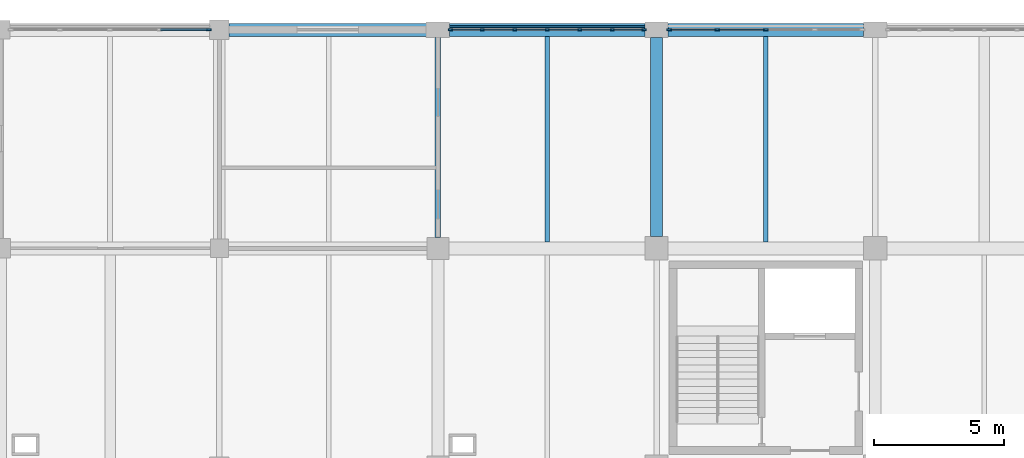
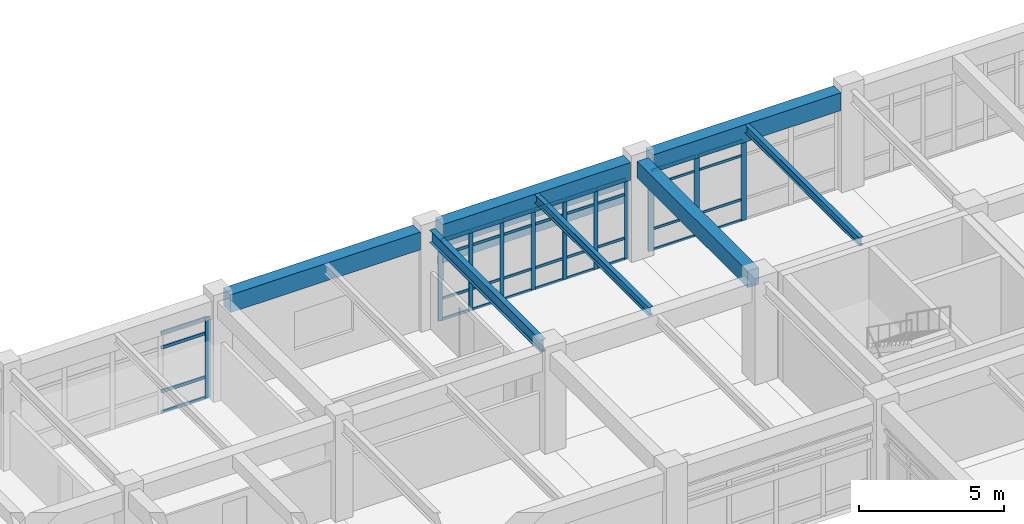
# One storey, part 31 of 99: 49 members, 7 beams, 3 elements without a shape of their own.
"""IFC4 building model written with IfcOpenShell, lengths in metres."""

from ifc_helpers import new_model, si_unit, direction, frame, origin, origin_2d, place, context, subcontext, project, spatial, rectangle, i_section, extrude, material, layer, layer_set, material_profile, profile_set, type_object, element, aggregate, save


model = new_model("IFC4")

# Units and contexts
model_context = context("Model", 3, precision=1e-05, world=origin(), true_north=direction((0.0, 1.0)))
body_context = subcontext(model_context, "Body", "Model", "MODEL_VIEW")
ifc_project = project(units=[si_unit("LENGTHUNIT", "METRE"), si_unit("AREAUNIT", "SQUARE_METRE"), si_unit("VOLUMEUNIT", "CUBIC_METRE"), si_unit("PLANEANGLEUNIT", "RADIAN"), si_unit("MASSUNIT", "GRAM", prefix="KILO")], contexts=[model_context])

# Site, building, storey
site_placement = place(None, origin())
site = spatial("IfcSite", under=ifc_project, at=site_placement, CompositionType="ELEMENT")
building_placement = place(site_placement, origin())
building = spatial("IfcBuilding", under=site, at=building_placement, Name="Porcellanite Civic Hall", CompositionType="ELEMENT")
storey_placement = place(building_placement, frame((0.0, 0.0, 5.760009765625)))
storey = spatial("IfcBuildingStorey", under=building, at=storey_placement, Name="L01", CompositionType="ELEMENT", Elevation=5.760009765625)

# Beams
ifc_material_1 = material(Name="Concrete N50 (50 MPa)", Category="concrete")
ifc_material_profile_1 = material_profile(ifc_material_1, rectangle(XDim=0.449951171875, YDim=0.699951171875, at=origin_2d()), Name="RC-450x700")
ifc_profile_set_1 = profile_set([ifc_material_profile_1], Name="Concrete N50 (50 MPa)")
beam_type_1 = type_object("IfcBeamType", Name="BM-RC700", PredefinedType="BEAM", material=ifc_profile_set_1)
beam_1_placement = place(storey_placement, frame((50.39990234375, 109.6494140625, 3.85009765625), z_axis=(0.0, 1.0, 0.0), x_axis=(-1.0, 0.0, 0.0)))
element("IfcBeam", 1, at=beam_1_placement, inside=storey, type_object=beam_type_1, Name="Beam Y L01 7-14", PredefinedType="BEAM", context=body_context, shape_type="SweptSolid", body=[
    extrude(rectangle(XDim=0.449951171875, YDim=0.699951171875, at=origin_2d()), origin(), (0.0, 0.0, 1.0), 7.651123046875),
])
ifc_material_2 = material(Name="Concrete N50 (50 MPa)", Category="concrete")
ifc_material_profile_2 = material_profile(ifc_material_2, rectangle(XDim=0.5, YDim=0.75, at=origin_2d()), Name="RC-500x750")
ifc_profile_set_2 = profile_set([ifc_material_profile_2], Name="Concrete N50 (50 MPa)")
beam_type_2 = type_object("IfcBeamType", Name="BM-RC750", PredefinedType="SPANDREL", material=ifc_profile_set_2)
beam_2_placement = place(storey_placement, frame((33.974609375, 117.60009765625, 3.824951171875), z_axis=(1.0, 0.0, 0.0), x_axis=(0.0, 1.0, 0.0)))
element("IfcBeam", 2, at=beam_2_placement, inside=storey, type_object=beam_type_2, Name="Beam X L01 5-15", PredefinedType="SPANDREL", context=body_context, shape_type="SweptSolid", body=[
    extrude(rectangle(XDim=0.5, YDim=0.75, at=origin_2d()), origin(), (0.0, 0.0, 1.0), 7.575927734375),
])
for number, where, z_axis, x_axis, name in (
    (3, (42.449462890625, 117.60009765625, 3.824951171875), (1.0, 0.0, 0.0), (0.0, 1.0, 0.0), "Beam X L01 6-15"),
    (4, (50.849609375, 117.60009765625, 3.824951171875), (1.0, 0.0, 0.0), (0.0, 1.0, 0.0), "Beam X L01 7-15"),
):
    element("IfcBeam", number, at=place(storey_placement, frame(where, z_axis=z_axis, x_axis=x_axis)), inside=storey, type_object=beam_type_2, Name=name, PredefinedType="SPANDREL", context=body_context, shape_type="SweptSolid", body=[
        extrude(rectangle(XDim=0.5, YDim=0.75, at=origin_2d()), origin(), (0.0, 0.0, 1.0), 7.5009765625),
    ])

# Curtain wall, members
ifc_material_3 = material(Name="Anodised aluminium and solar laminated glass", Category="aluminium")
ifc_layer_1 = layer(ifc_material_3, 0.179931640625)
ifc_layer_set_1 = layer_set([ifc_layer_1], Name="Anodised aluminium and solar laminated glass")
curtain_wall_type_1 = type_object("IfcCurtainWallType", Name="CW-SYS04", PredefinedType="NOTDEFINED", material=ifc_layer_set_1)
curtain_wall_1_placement = place(storey_placement, origin())
curtain_wall_1 = element("IfcCurtainWall", 5, at=curtain_wall_1_placement, inside=storey, type_object=curtain_wall_type_1, Name="Curtain wall CW-085", PredefinedType="NOTDEFINED")
ifc_material_4 = material(Name="Anodised aluminium 6063-T6", Category="aluminium")
ifc_material_profile_3 = material_profile(ifc_material_4, rectangle(XDim=0.074951171875, YDim=0.18994140625, at=origin_2d()), Name="AL-75x190")
ifc_profile_set_3 = profile_set([ifc_material_profile_3], Name="Anodised aluminium 6063-T6")
member_type_1 = type_object("IfcMemberType", Name="CWM-04", PredefinedType="MULLION", material=ifc_profile_set_3)
member_1_placement = place(storey_placement, frame((50.888427734375, 117.60009765625, 0.0), z_axis=(0.0, 0.0, 1.0), x_axis=(0.0, 1.0, 0.0)))
member_1 = element("IfcMember", 6, at=member_1_placement, type_object=member_type_1, Name="CW-085 mullion 1", PredefinedType="MULLION", context=body_context, shape_type="SweptSolid", body=[
    extrude(rectangle(XDim=0.074951171875, YDim=0.18994140625, at=origin_2d()), origin(), (0.0, 0.0, 1.0), 3.39990234375),
])
member_2_placement = place(storey_placement, frame((52.7255859375, 117.60009765625, 0.0), z_axis=(0.0, 0.0, 1.0), x_axis=(0.0, 1.0, 0.0)))
member_2 = element("IfcMember", 7, at=member_2_placement, type_object=member_type_1, Name="CW-085 mullion 2", PredefinedType="MULLION", context=body_context, shape_type="SweptSolid", body=[
    extrude(rectangle(XDim=0.074951171875, YDim=0.18994140625, at=origin_2d()), origin(), (0.0, 0.0, 1.0), 3.39990234375),
])
member_3_placement = place(storey_placement, frame((54.60009765625, 117.60009765625, 0.0), z_axis=(0.0, 0.0, 1.0), x_axis=(0.0, 1.0, 0.0)))
member_3 = element("IfcMember", 8, at=member_3_placement, type_object=member_type_1, Name="CW-085 mullion 3", PredefinedType="MULLION", context=body_context, shape_type="SweptSolid", body=[
    extrude(rectangle(XDim=0.074951171875, YDim=0.18994140625, at=origin_2d()), origin(), (0.0, 0.0, 1.0), 3.39990234375),
])

# Curtain wall, member
ifc_material_5 = material(Name="Anodised aluminium and solar laminated glass", Category="aluminium")
ifc_layer_2 = layer(ifc_material_5, 0.179931640625)
ifc_layer_set_2 = layer_set([ifc_layer_2], Name="Anodised aluminium and solar laminated glass")
curtain_wall_type_2 = type_object("IfcCurtainWallType", Name="CW-SYS05", PredefinedType="NOTDEFINED", material=ifc_layer_set_2)
curtain_wall_2_placement = place(storey_placement, origin())
curtain_wall_2 = element("IfcCurtainWall", 9, at=curtain_wall_2_placement, inside=storey, type_object=curtain_wall_type_2, Name="Curtain wall CW-073", PredefinedType="NOTDEFINED")
ifc_material_6 = material(Name="Anodised aluminium 6063-T6", Category="aluminium")
ifc_material_profile_4 = material_profile(ifc_material_6, rectangle(XDim=0.070068359375, YDim=0.199951171875, at=origin_2d()), Name="AL-70x200")
ifc_profile_set_4 = profile_set([ifc_material_profile_4], Name="Anodised aluminium 6063-T6")
member_type_2 = type_object("IfcMemberType", Name="CWM-05", PredefinedType="MULLION", material=ifc_profile_set_4)
member_4_placement = place(storey_placement, frame((33.18896484375, 117.60009765625, 0.0), z_axis=(0.0, 0.0, 1.0), x_axis=(0.0, 1.0, 0.0)))
member_4 = element("IfcMember", 10, at=member_4_placement, type_object=member_type_2, Name="CW-073 mullion 5", PredefinedType="MULLION", context=body_context, shape_type="SweptSolid", body=[
    extrude(rectangle(XDim=0.070068359375, YDim=0.199951171875, at=origin_2d()), origin(), (0.0, 0.0, 1.0), 3.39990234375),
])

# Curtain wall, members
ifc_material_7 = material(Name="Anodised aluminium and solar laminated glass", Category="aluminium")
ifc_layer_3 = layer(ifc_material_7, 0.179931640625)
ifc_layer_set_3 = layer_set([ifc_layer_3], Name="Anodised aluminium and solar laminated glass")
curtain_wall_type_3 = type_object("IfcCurtainWallType", Name="CW-SYS07", PredefinedType="NOTDEFINED", material=ifc_layer_set_3)
curtain_wall_3_placement = place(storey_placement, origin())
curtain_wall_3 = element("IfcCurtainWall", 11, at=curtain_wall_3_placement, inside=storey, type_object=curtain_wall_type_3, Name="Curtain wall CW-075", PredefinedType="NOTDEFINED")
ifc_material_8 = material(Name="Anodised aluminium 6063-T6", Category="aluminium")
ifc_material_profile_5 = material_profile(ifc_material_8, rectangle(XDim=0.06005859375, YDim=0.159912109375, at=origin_2d()), Name="AL-60x160")
ifc_profile_set_5 = profile_set([ifc_material_profile_5], Name="Anodised aluminium 6063-T6")
member_type_3 = type_object("IfcMemberType", Name="CWM-07", PredefinedType="MULLION", material=ifc_profile_set_5)
member_5_placement = place(storey_placement, frame((42.48095703125, 117.60009765625, 0.0), z_axis=(0.0, 0.0, 1.0), x_axis=(0.0, 1.0, 0.0)))
member_5 = element("IfcMember", 12, at=member_5_placement, type_object=member_type_3, Name="CW-075 mullion 1", PredefinedType="MULLION", context=body_context, shape_type="SweptSolid", body=[
    extrude(rectangle(XDim=0.06005859375, YDim=0.159912109375, at=origin_2d()), origin(), (0.0, 0.0, 1.0), 3.39990234375),
])
member_6_placement = place(storey_placement, frame((43.70068359375, 117.60009765625, 0.0), z_axis=(0.0, 0.0, 1.0), x_axis=(0.0, 1.0, 0.0)))
member_6 = element("IfcMember", 13, at=member_6_placement, type_object=member_type_3, Name="CW-075 mullion 2", PredefinedType="MULLION", context=body_context, shape_type="SweptSolid", body=[
    extrude(rectangle(XDim=0.06005859375, YDim=0.159912109375, at=origin_2d()), origin(), (0.0, 0.0, 1.0), 3.39990234375),
])
member_7_placement = place(storey_placement, frame((44.950439453125, 117.60009765625, 0.0), z_axis=(0.0, 0.0, 1.0), x_axis=(0.0, 1.0, 0.0)))
member_7 = element("IfcMember", 14, at=member_7_placement, type_object=member_type_3, Name="CW-075 mullion 3", PredefinedType="MULLION", context=body_context, shape_type="SweptSolid", body=[
    extrude(rectangle(XDim=0.06005859375, YDim=0.159912109375, at=origin_2d()), origin(), (0.0, 0.0, 1.0), 3.39990234375),
])
member_8_placement = place(storey_placement, frame((46.199951171875, 117.60009765625, 0.0), z_axis=(0.0, 0.0, 1.0), x_axis=(0.0, 1.0, 0.0)))
member_8 = element("IfcMember", 15, at=member_8_placement, type_object=member_type_3, Name="CW-075 mullion 4", PredefinedType="MULLION", context=body_context, shape_type="SweptSolid", body=[
    extrude(rectangle(XDim=0.06005859375, YDim=0.159912109375, at=origin_2d()), origin(), (0.0, 0.0, 1.0), 3.39990234375),
])
member_9_placement = place(storey_placement, frame((47.44970703125, 117.60009765625, 0.0), z_axis=(0.0, 0.0, 1.0), x_axis=(0.0, 1.0, 0.0)))
member_9 = element("IfcMember", 16, at=member_9_placement, type_object=member_type_3, Name="CW-075 mullion 5", PredefinedType="MULLION", context=body_context, shape_type="SweptSolid", body=[
    extrude(rectangle(XDim=0.06005859375, YDim=0.159912109375, at=origin_2d()), origin(), (0.0, 0.0, 1.0), 3.39990234375),
])
member_10_placement = place(storey_placement, frame((48.69921875, 117.60009765625, 0.0), z_axis=(0.0, 0.0, 1.0), x_axis=(0.0, 1.0, 0.0)))
member_10 = element("IfcMember", 17, at=member_10_placement, type_object=member_type_3, Name="CW-075 mullion 6", PredefinedType="MULLION", context=body_context, shape_type="SweptSolid", body=[
    extrude(rectangle(XDim=0.06005859375, YDim=0.159912109375, at=origin_2d()), origin(), (0.0, 0.0, 1.0), 3.39990234375),
])
member_11_placement = place(storey_placement, frame((49.9189453125, 117.60009765625, 0.0), z_axis=(0.0, 0.0, 1.0), x_axis=(0.0, 1.0, 0.0)))
member_11 = element("IfcMember", 18, at=member_11_placement, type_object=member_type_3, Name="CW-075 mullion 7", PredefinedType="MULLION", context=body_context, shape_type="SweptSolid", body=[
    extrude(rectangle(XDim=0.06005859375, YDim=0.159912109375, at=origin_2d()), origin(), (0.0, 0.0, 1.0), 3.39990234375),
])

# Member
ifc_material_9 = material(Name="Anodised aluminium 6063-T6", Category="aluminium")
ifc_material_profile_6 = material_profile(ifc_material_9, rectangle(XDim=0.06005859375, YDim=0.1298828125, at=origin_2d()), Name="AL-60x130")
ifc_profile_set_6 = profile_set([ifc_material_profile_6], Name="Anodised aluminium 6063-T6")
member_type_4 = type_object("IfcMemberType", Name="CWT-03", PredefinedType="USERDEFINED", material=ifc_profile_set_6)
member_12_placement = place(storey_placement, frame((31.3408203125, 117.60009765625, 0.030029296875), z_axis=(1.0, 0.0, 0.0), x_axis=(0.0, 1.0, 0.0)))
member_12 = element("IfcMember", 19, at=member_12_placement, type_object=member_type_4, Name="CW-073 transom 4.1", ObjectType="TRANSOM", PredefinedType="USERDEFINED", context=body_context, shape_type="SweptSolid", body=[
    extrude(rectangle(XDim=0.06005859375, YDim=0.1298828125, at=origin_2d()), origin(), (0.0, 0.0, 1.0), 1.813232421875),
])

member_13_placement = place(storey_placement, frame((31.3408203125, 117.60009765625, 0.89990234375), z_axis=(1.0, 0.0, 0.0), x_axis=(0.0, 1.0, 0.0)))
member_13 = element("IfcMember", 20, at=member_13_placement, type_object=member_type_4, Name="CW-073 transom 4.2", ObjectType="TRANSOM", PredefinedType="USERDEFINED", context=body_context, shape_type="SweptSolid", body=[
    extrude(rectangle(XDim=0.06005859375, YDim=0.1298828125, at=origin_2d()), origin(), (0.0, 0.0, 1.0), 1.813232421875),
])

member_14_placement = place(storey_placement, frame((31.3408203125, 117.60009765625, 2.75), z_axis=(1.0, 0.0, 0.0), x_axis=(0.0, 1.0, 0.0)))
member_14 = element("IfcMember", 21, at=member_14_placement, type_object=member_type_4, Name="CW-073 transom 4.3", ObjectType="TRANSOM", PredefinedType="USERDEFINED", context=body_context, shape_type="SweptSolid", body=[
    extrude(rectangle(XDim=0.06005859375, YDim=0.1298828125, at=origin_2d()), origin(), (0.0, 0.0, 1.0), 1.813232421875),
])

member_15_placement = place(storey_placement, frame((31.3408203125, 117.60009765625, 3.369873046875), z_axis=(1.0, 0.0, 0.0), x_axis=(0.0, 1.0, 0.0)))
member_15 = element("IfcMember", 22, at=member_15_placement, type_object=member_type_4, Name="CW-073 transom 4.4", ObjectType="TRANSOM", PredefinedType="USERDEFINED", context=body_context, shape_type="SweptSolid", body=[
    extrude(rectangle(XDim=0.06005859375, YDim=0.1298828125, at=origin_2d()), origin(), (0.0, 0.0, 1.0), 1.813232421875),
])

aggregate(curtain_wall_2, [member_4, member_12, member_13, member_14, member_15])

ifc_material_10 = material(Name="Anodised aluminium 6063-T6", Category="aluminium")
ifc_material_profile_7 = material_profile(ifc_material_10, rectangle(XDim=0.054931640625, YDim=0.10009765625, at=origin_2d()), Name="AL-55x100")
ifc_profile_set_7 = profile_set([ifc_material_profile_7], Name="Anodised aluminium 6063-T6")
member_type_5 = type_object("IfcMemberType", Name="CWT-05", PredefinedType="USERDEFINED", material=ifc_profile_set_7)
member_16_placement = place(storey_placement, frame((50.926025390625, 117.60009765625, 0.027587890625), z_axis=(1.0, 0.0, 0.0), x_axis=(0.0, 1.0, 0.0)))
member_16 = element("IfcMember", 23, at=member_16_placement, type_object=member_type_5, Name="CW-085 transom 1.1", ObjectType="TRANSOM", PredefinedType="USERDEFINED", context=body_context, shape_type="SweptSolid", body=[
    extrude(rectangle(XDim=0.054931640625, YDim=0.10009765625, at=origin_2d()), origin(), (0.0, 0.0, 1.0), 1.761962890625),
])

member_17_placement = place(storey_placement, frame((50.926025390625, 117.60009765625, 0.89990234375), z_axis=(1.0, 0.0, 0.0), x_axis=(0.0, 1.0, 0.0)))
member_17 = element("IfcMember", 24, at=member_17_placement, type_object=member_type_5, Name="CW-085 transom 1.2", ObjectType="TRANSOM", PredefinedType="USERDEFINED", context=body_context, shape_type="SweptSolid", body=[
    extrude(rectangle(XDim=0.054931640625, YDim=0.10009765625, at=origin_2d()), origin(), (0.0, 0.0, 1.0), 1.761962890625),
])

member_18_placement = place(storey_placement, frame((50.926025390625, 117.60009765625, 2.75), z_axis=(1.0, 0.0, 0.0), x_axis=(0.0, 1.0, 0.0)))
member_18 = element("IfcMember", 25, at=member_18_placement, type_object=member_type_5, Name="CW-085 transom 1.3", ObjectType="TRANSOM", PredefinedType="USERDEFINED", context=body_context, shape_type="SweptSolid", body=[
    extrude(rectangle(XDim=0.054931640625, YDim=0.10009765625, at=origin_2d()), origin(), (0.0, 0.0, 1.0), 1.761962890625),
])

member_19_placement = place(storey_placement, frame((50.926025390625, 117.60009765625, 3.37255859375), z_axis=(1.0, 0.0, 0.0), x_axis=(0.0, 1.0, 0.0)))
member_19 = element("IfcMember", 26, at=member_19_placement, type_object=member_type_5, Name="CW-085 transom 1.4", ObjectType="TRANSOM", PredefinedType="USERDEFINED", context=body_context, shape_type="SweptSolid", body=[
    extrude(rectangle(XDim=0.054931640625, YDim=0.10009765625, at=origin_2d()), origin(), (0.0, 0.0, 1.0), 1.761962890625),
])

member_20_placement = place(storey_placement, frame((52.762939453125, 117.60009765625, 0.027587890625), z_axis=(1.0, 0.0, 0.0), x_axis=(0.0, 1.0, 0.0)))
member_20 = element("IfcMember", 27, at=member_20_placement, type_object=member_type_5, Name="CW-085 transom 2.1", ObjectType="TRANSOM", PredefinedType="USERDEFINED", context=body_context, shape_type="SweptSolid", body=[
    extrude(rectangle(XDim=0.054931640625, YDim=0.10009765625, at=origin_2d()), origin(), (0.0, 0.0, 1.0), 1.799560546875),
])

member_21_placement = place(storey_placement, frame((52.762939453125, 117.60009765625, 0.89990234375), z_axis=(1.0, 0.0, 0.0), x_axis=(0.0, 1.0, 0.0)))
member_21 = element("IfcMember", 28, at=member_21_placement, type_object=member_type_5, Name="CW-085 transom 2.2", ObjectType="TRANSOM", PredefinedType="USERDEFINED", context=body_context, shape_type="SweptSolid", body=[
    extrude(rectangle(XDim=0.054931640625, YDim=0.10009765625, at=origin_2d()), origin(), (0.0, 0.0, 1.0), 1.799560546875),
])

member_22_placement = place(storey_placement, frame((52.762939453125, 117.60009765625, 2.75), z_axis=(1.0, 0.0, 0.0), x_axis=(0.0, 1.0, 0.0)))
member_22 = element("IfcMember", 29, at=member_22_placement, type_object=member_type_5, Name="CW-085 transom 2.3", ObjectType="TRANSOM", PredefinedType="USERDEFINED", context=body_context, shape_type="SweptSolid", body=[
    extrude(rectangle(XDim=0.054931640625, YDim=0.10009765625, at=origin_2d()), origin(), (0.0, 0.0, 1.0), 1.799560546875),
])

member_23_placement = place(storey_placement, frame((52.762939453125, 117.60009765625, 3.37255859375), z_axis=(1.0, 0.0, 0.0), x_axis=(0.0, 1.0, 0.0)))
member_23 = element("IfcMember", 30, at=member_23_placement, type_object=member_type_5, Name="CW-085 transom 2.4", ObjectType="TRANSOM", PredefinedType="USERDEFINED", context=body_context, shape_type="SweptSolid", body=[
    extrude(rectangle(XDim=0.054931640625, YDim=0.10009765625, at=origin_2d()), origin(), (0.0, 0.0, 1.0), 1.799560546875),
])

aggregate(curtain_wall_1, [member_1, member_2, member_3, member_16, member_17, member_18, member_19, member_20, member_21, member_22, member_23])

ifc_material_11 = material(Name="Anodised aluminium 6063-T6", Category="aluminium")
ifc_material_profile_8 = material_profile(ifc_material_11, rectangle(XDim=0.050048828125, YDim=0.110107421875, at=origin_2d()), Name="AL-50x110")
ifc_profile_set_8 = profile_set([ifc_material_profile_8], Name="Anodised aluminium 6063-T6")
member_type_6 = type_object("IfcMemberType", Name="CWT-07", PredefinedType="USERDEFINED", material=ifc_profile_set_8)
member_24_placement = place(storey_placement, frame((42.510986328125, 117.60009765625, 0.02490234375), z_axis=(1.0, 0.0, 0.0), x_axis=(0.0, 1.0, 0.0)))
member_24 = element("IfcMember", 31, at=member_24_placement, type_object=member_type_6, Name="CW-075 transom 1.1", ObjectType="TRANSOM", PredefinedType="USERDEFINED", context=body_context, shape_type="SweptSolid", body=[
    extrude(rectangle(XDim=0.050048828125, YDim=0.110107421875, at=origin_2d()), origin(), (0.0, 0.0, 1.0), 1.15966796875),
])

member_25_placement = place(storey_placement, frame((42.510986328125, 117.60009765625, 0.89990234375), z_axis=(1.0, 0.0, 0.0), x_axis=(0.0, 1.0, 0.0)))
member_25 = element("IfcMember", 32, at=member_25_placement, type_object=member_type_6, Name="CW-075 transom 1.2", ObjectType="TRANSOM", PredefinedType="USERDEFINED", context=body_context, shape_type="SweptSolid", body=[
    extrude(rectangle(XDim=0.050048828125, YDim=0.110107421875, at=origin_2d()), origin(), (0.0, 0.0, 1.0), 1.15966796875),
])

member_26_placement = place(storey_placement, frame((42.510986328125, 117.60009765625, 2.75), z_axis=(1.0, 0.0, 0.0), x_axis=(0.0, 1.0, 0.0)))
member_26 = element("IfcMember", 33, at=member_26_placement, type_object=member_type_6, Name="CW-075 transom 1.3", ObjectType="TRANSOM", PredefinedType="USERDEFINED", context=body_context, shape_type="SweptSolid", body=[
    extrude(rectangle(XDim=0.050048828125, YDim=0.110107421875, at=origin_2d()), origin(), (0.0, 0.0, 1.0), 1.15966796875),
])

member_27_placement = place(storey_placement, frame((42.510986328125, 117.60009765625, 3.375), z_axis=(1.0, 0.0, 0.0), x_axis=(0.0, 1.0, 0.0)))
member_27 = element("IfcMember", 34, at=member_27_placement, type_object=member_type_6, Name="CW-075 transom 1.4", ObjectType="TRANSOM", PredefinedType="USERDEFINED", context=body_context, shape_type="SweptSolid", body=[
    extrude(rectangle(XDim=0.050048828125, YDim=0.110107421875, at=origin_2d()), origin(), (0.0, 0.0, 1.0), 1.15966796875),
])

member_28_placement = place(storey_placement, frame((43.730712890625, 117.60009765625, 0.02490234375), z_axis=(1.0, 0.0, 0.0), x_axis=(0.0, 1.0, 0.0)))
member_28 = element("IfcMember", 35, at=member_28_placement, type_object=member_type_6, Name="CW-075 transom 2.1", ObjectType="TRANSOM", PredefinedType="USERDEFINED", context=body_context, shape_type="SweptSolid", body=[
    extrude(rectangle(XDim=0.050048828125, YDim=0.110107421875, at=origin_2d()), origin(), (0.0, 0.0, 1.0), 1.189697265625),
])

member_29_placement = place(storey_placement, frame((43.730712890625, 117.60009765625, 0.89990234375), z_axis=(1.0, 0.0, 0.0), x_axis=(0.0, 1.0, 0.0)))
member_29 = element("IfcMember", 36, at=member_29_placement, type_object=member_type_6, Name="CW-075 transom 2.2", ObjectType="TRANSOM", PredefinedType="USERDEFINED", context=body_context, shape_type="SweptSolid", body=[
    extrude(rectangle(XDim=0.050048828125, YDim=0.110107421875, at=origin_2d()), origin(), (0.0, 0.0, 1.0), 1.189697265625),
])

member_30_placement = place(storey_placement, frame((43.730712890625, 117.60009765625, 2.75), z_axis=(1.0, 0.0, 0.0), x_axis=(0.0, 1.0, 0.0)))
member_30 = element("IfcMember", 37, at=member_30_placement, type_object=member_type_6, Name="CW-075 transom 2.3", ObjectType="TRANSOM", PredefinedType="USERDEFINED", context=body_context, shape_type="SweptSolid", body=[
    extrude(rectangle(XDim=0.050048828125, YDim=0.110107421875, at=origin_2d()), origin(), (0.0, 0.0, 1.0), 1.189697265625),
])

member_31_placement = place(storey_placement, frame((43.730712890625, 117.60009765625, 3.375), z_axis=(1.0, 0.0, 0.0), x_axis=(0.0, 1.0, 0.0)))
member_31 = element("IfcMember", 38, at=member_31_placement, type_object=member_type_6, Name="CW-075 transom 2.4", ObjectType="TRANSOM", PredefinedType="USERDEFINED", context=body_context, shape_type="SweptSolid", body=[
    extrude(rectangle(XDim=0.050048828125, YDim=0.110107421875, at=origin_2d()), origin(), (0.0, 0.0, 1.0), 1.189697265625),
])

member_32_placement = place(storey_placement, frame((44.980224609375, 117.60009765625, 0.02490234375), z_axis=(1.0, 0.0, 0.0), x_axis=(0.0, 1.0, 0.0)))
member_32 = element("IfcMember", 39, at=member_32_placement, type_object=member_type_6, Name="CW-075 transom 3.1", ObjectType="TRANSOM", PredefinedType="USERDEFINED", context=body_context, shape_type="SweptSolid", body=[
    extrude(rectangle(XDim=0.050048828125, YDim=0.110107421875, at=origin_2d()), origin(), (0.0, 0.0, 1.0), 1.189697265625),
])

member_33_placement = place(storey_placement, frame((44.980224609375, 117.60009765625, 0.89990234375), z_axis=(1.0, 0.0, 0.0), x_axis=(0.0, 1.0, 0.0)))
member_33 = element("IfcMember", 40, at=member_33_placement, type_object=member_type_6, Name="CW-075 transom 3.2", ObjectType="TRANSOM", PredefinedType="USERDEFINED", context=body_context, shape_type="SweptSolid", body=[
    extrude(rectangle(XDim=0.050048828125, YDim=0.110107421875, at=origin_2d()), origin(), (0.0, 0.0, 1.0), 1.189697265625),
])

member_34_placement = place(storey_placement, frame((44.980224609375, 117.60009765625, 2.75), z_axis=(1.0, 0.0, 0.0), x_axis=(0.0, 1.0, 0.0)))
member_34 = element("IfcMember", 41, at=member_34_placement, type_object=member_type_6, Name="CW-075 transom 3.3", ObjectType="TRANSOM", PredefinedType="USERDEFINED", context=body_context, shape_type="SweptSolid", body=[
    extrude(rectangle(XDim=0.050048828125, YDim=0.110107421875, at=origin_2d()), origin(), (0.0, 0.0, 1.0), 1.189697265625),
])

member_35_placement = place(storey_placement, frame((44.980224609375, 117.60009765625, 3.375), z_axis=(1.0, 0.0, 0.0), x_axis=(0.0, 1.0, 0.0)))
member_35 = element("IfcMember", 42, at=member_35_placement, type_object=member_type_6, Name="CW-075 transom 3.4", ObjectType="TRANSOM", PredefinedType="USERDEFINED", context=body_context, shape_type="SweptSolid", body=[
    extrude(rectangle(XDim=0.050048828125, YDim=0.110107421875, at=origin_2d()), origin(), (0.0, 0.0, 1.0), 1.189697265625),
])

member_36_placement = place(storey_placement, frame((46.22998046875, 117.60009765625, 0.02490234375), z_axis=(1.0, 0.0, 0.0), x_axis=(0.0, 1.0, 0.0)))
member_36 = element("IfcMember", 43, at=member_36_placement, type_object=member_type_6, Name="CW-075 transom 4.1", ObjectType="TRANSOM", PredefinedType="USERDEFINED", context=body_context, shape_type="SweptSolid", body=[
    extrude(rectangle(XDim=0.050048828125, YDim=0.110107421875, at=origin_2d()), origin(), (0.0, 0.0, 1.0), 1.189697265625),
])

member_37_placement = place(storey_placement, frame((46.22998046875, 117.60009765625, 0.89990234375), z_axis=(1.0, 0.0, 0.0), x_axis=(0.0, 1.0, 0.0)))
member_37 = element("IfcMember", 44, at=member_37_placement, type_object=member_type_6, Name="CW-075 transom 4.2", ObjectType="TRANSOM", PredefinedType="USERDEFINED", context=body_context, shape_type="SweptSolid", body=[
    extrude(rectangle(XDim=0.050048828125, YDim=0.110107421875, at=origin_2d()), origin(), (0.0, 0.0, 1.0), 1.189697265625),
])

member_38_placement = place(storey_placement, frame((46.22998046875, 117.60009765625, 2.75), z_axis=(1.0, 0.0, 0.0), x_axis=(0.0, 1.0, 0.0)))
member_38 = element("IfcMember", 45, at=member_38_placement, type_object=member_type_6, Name="CW-075 transom 4.3", ObjectType="TRANSOM", PredefinedType="USERDEFINED", context=body_context, shape_type="SweptSolid", body=[
    extrude(rectangle(XDim=0.050048828125, YDim=0.110107421875, at=origin_2d()), origin(), (0.0, 0.0, 1.0), 1.189697265625),
])

member_39_placement = place(storey_placement, frame((46.22998046875, 117.60009765625, 3.375), z_axis=(1.0, 0.0, 0.0), x_axis=(0.0, 1.0, 0.0)))
member_39 = element("IfcMember", 46, at=member_39_placement, type_object=member_type_6, Name="CW-075 transom 4.4", ObjectType="TRANSOM", PredefinedType="USERDEFINED", context=body_context, shape_type="SweptSolid", body=[
    extrude(rectangle(XDim=0.050048828125, YDim=0.110107421875, at=origin_2d()), origin(), (0.0, 0.0, 1.0), 1.189697265625),
])

member_40_placement = place(storey_placement, frame((47.479736328125, 117.60009765625, 0.02490234375), z_axis=(1.0, 0.0, 0.0), x_axis=(0.0, 1.0, 0.0)))
member_40 = element("IfcMember", 47, at=member_40_placement, type_object=member_type_6, Name="CW-075 transom 5.1", ObjectType="TRANSOM", PredefinedType="USERDEFINED", context=body_context, shape_type="SweptSolid", body=[
    extrude(rectangle(XDim=0.050048828125, YDim=0.110107421875, at=origin_2d()), origin(), (0.0, 0.0, 1.0), 1.189697265625),
])

member_41_placement = place(storey_placement, frame((47.479736328125, 117.60009765625, 0.89990234375), z_axis=(1.0, 0.0, 0.0), x_axis=(0.0, 1.0, 0.0)))
member_41 = element("IfcMember", 48, at=member_41_placement, type_object=member_type_6, Name="CW-075 transom 5.2", ObjectType="TRANSOM", PredefinedType="USERDEFINED", context=body_context, shape_type="SweptSolid", body=[
    extrude(rectangle(XDim=0.050048828125, YDim=0.110107421875, at=origin_2d()), origin(), (0.0, 0.0, 1.0), 1.189697265625),
])

member_42_placement = place(storey_placement, frame((47.479736328125, 117.60009765625, 2.75), z_axis=(1.0, 0.0, 0.0), x_axis=(0.0, 1.0, 0.0)))
member_42 = element("IfcMember", 49, at=member_42_placement, type_object=member_type_6, Name="CW-075 transom 5.3", ObjectType="TRANSOM", PredefinedType="USERDEFINED", context=body_context, shape_type="SweptSolid", body=[
    extrude(rectangle(XDim=0.050048828125, YDim=0.110107421875, at=origin_2d()), origin(), (0.0, 0.0, 1.0), 1.189697265625),
])

member_43_placement = place(storey_placement, frame((47.479736328125, 117.60009765625, 3.375), z_axis=(1.0, 0.0, 0.0), x_axis=(0.0, 1.0, 0.0)))
member_43 = element("IfcMember", 50, at=member_43_placement, type_object=member_type_6, Name="CW-075 transom 5.4", ObjectType="TRANSOM", PredefinedType="USERDEFINED", context=body_context, shape_type="SweptSolid", body=[
    extrude(rectangle(XDim=0.050048828125, YDim=0.110107421875, at=origin_2d()), origin(), (0.0, 0.0, 1.0), 1.189697265625),
])

member_44_placement = place(storey_placement, frame((48.729248046875, 117.60009765625, 0.02490234375), z_axis=(1.0, 0.0, 0.0), x_axis=(0.0, 1.0, 0.0)))
member_44 = element("IfcMember", 51, at=member_44_placement, type_object=member_type_6, Name="CW-075 transom 6.1", ObjectType="TRANSOM", PredefinedType="USERDEFINED", context=body_context, shape_type="SweptSolid", body=[
    extrude(rectangle(XDim=0.050048828125, YDim=0.110107421875, at=origin_2d()), origin(), (0.0, 0.0, 1.0), 1.15966796875),
])

member_45_placement = place(storey_placement, frame((48.729248046875, 117.60009765625, 0.89990234375), z_axis=(1.0, 0.0, 0.0), x_axis=(0.0, 1.0, 0.0)))
member_45 = element("IfcMember", 52, at=member_45_placement, type_object=member_type_6, Name="CW-075 transom 6.2", ObjectType="TRANSOM", PredefinedType="USERDEFINED", context=body_context, shape_type="SweptSolid", body=[
    extrude(rectangle(XDim=0.050048828125, YDim=0.110107421875, at=origin_2d()), origin(), (0.0, 0.0, 1.0), 1.15966796875),
])

member_46_placement = place(storey_placement, frame((48.729248046875, 117.60009765625, 2.75), z_axis=(1.0, 0.0, 0.0), x_axis=(0.0, 1.0, 0.0)))
member_46 = element("IfcMember", 53, at=member_46_placement, type_object=member_type_6, Name="CW-075 transom 6.3", ObjectType="TRANSOM", PredefinedType="USERDEFINED", context=body_context, shape_type="SweptSolid", body=[
    extrude(rectangle(XDim=0.050048828125, YDim=0.110107421875, at=origin_2d()), origin(), (0.0, 0.0, 1.0), 1.15966796875),
])

member_47_placement = place(storey_placement, frame((48.729248046875, 117.60009765625, 3.375), z_axis=(1.0, 0.0, 0.0), x_axis=(0.0, 1.0, 0.0)))
member_47 = element("IfcMember", 54, at=member_47_placement, type_object=member_type_6, Name="CW-075 transom 6.4", ObjectType="TRANSOM", PredefinedType="USERDEFINED", context=body_context, shape_type="SweptSolid", body=[
    extrude(rectangle(XDim=0.050048828125, YDim=0.110107421875, at=origin_2d()), origin(), (0.0, 0.0, 1.0), 1.15966796875),
])

aggregate(curtain_wall_3, [member_5, member_6, member_7, member_8, member_9, member_10, member_11, member_24, member_25, member_26, member_27, member_28, member_29, member_30, member_31, member_32, member_33, member_34, member_35, member_36, member_37, member_38, member_39, member_40, member_41, member_42, member_43, member_44, member_45, member_46, member_47])

# Beams
ifc_material_12 = material(Name="Steel Grade 350", Category="steel")
ifc_material_profile_9 = material_profile(ifc_material_12, i_section(OverallWidth=0.1708984375, OverallDepth=0.35595703125, WebThickness=0.00732421875, FlangeThickness=0.011474609375, FilletRadius=0.011474609375, at=origin_2d()), Name="360UB50.7")
ifc_profile_set_9 = profile_set([ifc_material_profile_9], Name="Steel Grade 350")
beam_type_3 = type_object("IfcBeamType", Name="JST-360UB51", PredefinedType="JOIST", material=ifc_profile_set_9)
beam_3_placement = place(storey_placement, frame((54.60009765625, 109.449462890625, 4.02197265625), z_axis=(0.0, 1.0, 0.0), x_axis=(-1.0, 0.0, 0.0)))
element("IfcBeam", 55, at=beam_3_placement, inside=storey, type_object=beam_type_3, Name="Secondary joist L01 7-14", PredefinedType="JOIST", context=body_context, shape_type="SweptSolid", body=[
    extrude(i_section(OverallWidth=0.1708984375, OverallDepth=0.35595703125, WebThickness=0.00732421875, FlangeThickness=0.011474609375, FilletRadius=0.011474609375, at=origin_2d()), origin(), (0.0, 0.0, 1.0), 7.901123046875),
])
ifc_material_13 = material(Name="Steel Grade 350", Category="steel")
ifc_material_profile_10 = material_profile(ifc_material_13, i_section(OverallWidth=0.172119140625, OverallDepth=0.35888671875, WebThickness=0.008056640625, FlangeThickness=0.012939453125, FilletRadius=0.011474609375, at=origin_2d()), Name="360UB56.7")
ifc_profile_set_10 = profile_set([ifc_material_profile_10], Name="Steel Grade 350")
beam_type_4 = type_object("IfcBeamType", Name="JST-360UB57", PredefinedType="JOIST", material=ifc_profile_set_10)
beam_4_placement = place(storey_placement, frame((46.199951171875, 109.449462890625, 4.0205078125), z_axis=(0.0, 1.0, 0.0), x_axis=(-1.0, 0.0, 0.0)))
element("IfcBeam", 56, at=beam_4_placement, inside=storey, type_object=beam_type_4, Name="Secondary joist L01 6-14", PredefinedType="JOIST", context=body_context, shape_type="SweptSolid", body=[
    extrude(i_section(OverallWidth=0.172119140625, OverallDepth=0.35888671875, WebThickness=0.008056640625, FlangeThickness=0.012939453125, FilletRadius=0.011474609375, at=origin_2d()), origin(), (0.0, 0.0, 1.0), 7.901123046875),
])

# Members
ifc_material_14 = material(Name="Fluoropolymer bauxite-red aluminium 6063-T6", Category="aluminium")
ifc_material_profile_11 = material_profile(ifc_material_14, rectangle(XDim=0.074951171875, YDim=0.300048828125, at=origin_2d()), Name="AL-75x300")
ifc_profile_set_11 = profile_set([ifc_material_profile_11], Name="Fluoropolymer bauxite-red aluminium 6063-T6")
member_type_7 = type_object("IfcMemberType", Name="LV-BLD04", PredefinedType="USERDEFINED", material=ifc_profile_set_11)
for number, where, z_axis, x_axis, name in (
    (57, (42.449462890625, 117.719482421875, 3.10009765625), (1.0, 0.0, 0.0), (0.0, 1.0, 0.0), "Cyclone sunshade louvre L01 N 5-13 1"),
    (58, (42.449462890625, 117.719482421875, 2.449951171875), (1.0, 0.0, 0.0), (0.0, 1.0, 0.0), "Cyclone sunshade louvre L01 N 5-13 2"),
):
    element("IfcMember", number, at=place(storey_placement, frame(where, z_axis=z_axis, x_axis=x_axis)), inside=storey, type_object=member_type_7, Name=name, ObjectType="LOUVRE BLADE", PredefinedType="USERDEFINED", context=body_context, shape_type="SweptSolid", body=[
        extrude(rectangle(XDim=0.074951171875, YDim=0.300048828125, at=origin_2d()), origin(), (0.0, 0.0, 1.0), 7.5009765625),
    ])

# Beam
ifc_material_15 = material(Name="Steel Grade 350", Category="steel")
ifc_material_profile_12 = material_profile(ifc_material_15, i_section(OverallWidth=0.208984375, OverallDepth=0.528076171875, WebThickness=0.009521484375, FlangeThickness=0.01318359375, FilletRadius=0.013916015625, at=origin_2d()), Name="530UB82.0")
ifc_profile_set_12 = profile_set([ifc_material_profile_12], Name="Steel Grade 350")
beam_type_5 = type_object("IfcBeamType", Name="RAF-530UB82", PredefinedType="BEAM", material=ifc_profile_set_12)
beam_5_placement = place(storey_placement, frame((42.0, 109.62451171875, 3.93603515625), z_axis=(0.0, 1.0, 0.0), x_axis=(-1.0, 0.0, 0.0)))
element("IfcBeam", 59, at=beam_5_placement, inside=storey, type_object=beam_type_5, Name="Beam Y L01 6-14", PredefinedType="BEAM", context=body_context, shape_type="SweptSolid", body=[
    extrude(i_section(OverallWidth=0.208984375, OverallDepth=0.528076171875, WebThickness=0.009521484375, FlangeThickness=0.01318359375, FilletRadius=0.013916015625, at=origin_2d()), origin(), (0.0, 0.0, 1.0), 7.676025390625),
])

save(model, "model.ifc")
